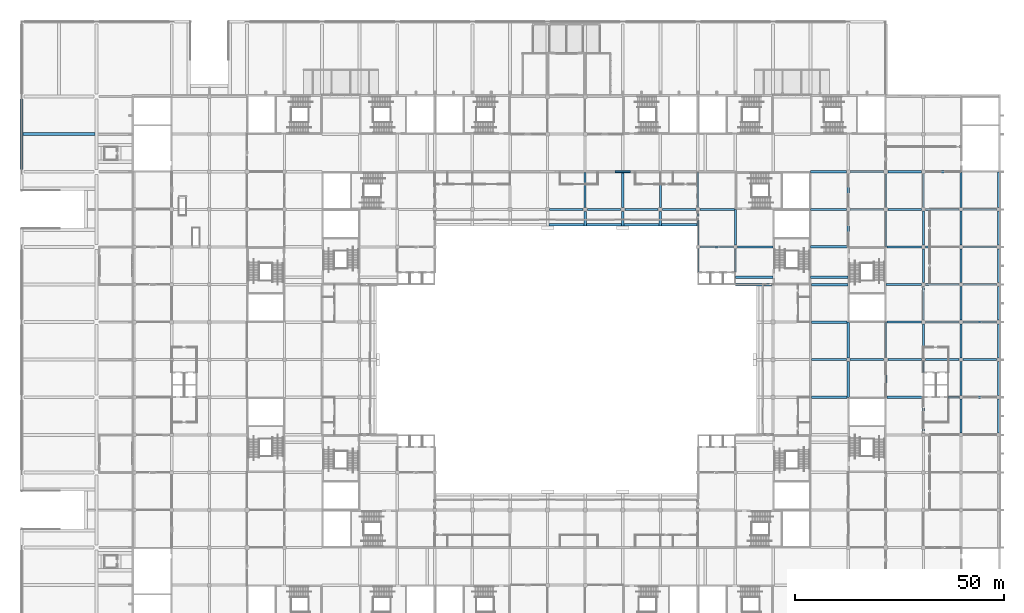
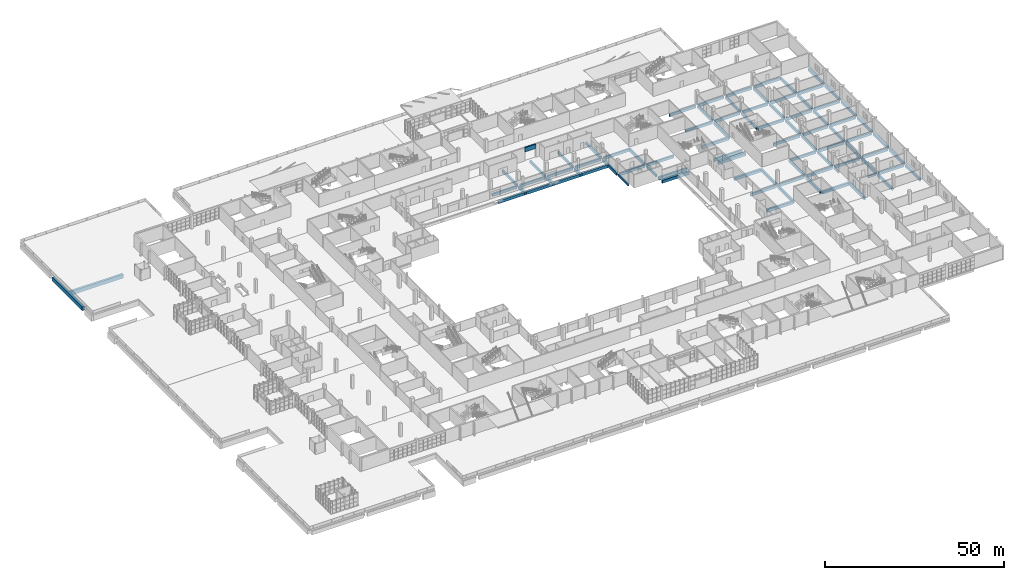
# One storey, part 51 of 168: 87 beams.
"""IFC4 building model written with IfcOpenShell, lengths in metres."""

import ifcopenshell
import ifcopenshell.guid

model = None  # the IFC model being written
_history = None  # IfcOwnerHistory: only IFC2X3 demands one
_inside = {}  # id of a spatial element -> (the spatial element, [elements in it])
_under = {}  # id of a project, library or spatial element -> (it, [spatial elements below it])
_declared = {}  # id of a project -> (the project, [libraries it declares])
_typed = {}  # id of a type object -> (the type object, [elements of that type])
_made_of = {}  # id of a material, layer set ... -> (it, [elements and type objects made of it])


def new_model(schema):
    """Start an empty IFC model of exactly this schema.

    Asked for "IFC4X3", IfcOpenShell would pick the latest addendum, in which some entities
    have other attributes; the version numbers below select the first issue.
    IFC2X3 requires an IfcOwnerHistory on every rooted entity: one is made here for all.
    """
    global model, _history
    if schema == "IFC4X3":
        model = ifcopenshell.file(schema_version=(4, 3, 0, 0))
    else:
        model = ifcopenshell.file(schema=schema)
    _inside.clear()
    _under.clear()
    _declared.clear()
    _typed.clear()
    _made_of.clear()
    _history = None
    if model.schema == "IFC2X3":
        org = make("IfcOrganization", Name="unknown")
        user = make(
            "IfcPersonAndOrganization",
            ThePerson=make("IfcPerson", FamilyName="unknown"),
            TheOrganization=org,
        )
        app = make(
            "IfcApplication",
            ApplicationDeveloper=org,
            Version="unknown",
            ApplicationFullName="unknown",
            ApplicationIdentifier="unknown",
        )
        _history = make(
            "IfcOwnerHistory",
            OwningUser=user,
            OwningApplication=app,
            ChangeAction="ADDED",
            CreationDate=0,
        )
    return model


def make(cls, **values):
    """One entity of the class cls with the attributes given. An attribute that is None is left unset."""
    return model.create_entity(
        cls, **{name: value for name, value in values.items() if value is not None}
    )


def rooted(cls, **values):
    """An entity with a GlobalId (a new one), such as an element, a storey or a relation."""
    return make(cls, GlobalId=ifcopenshell.guid.new(), OwnerHistory=_history, **values)


def si_unit(unit_type, name, prefix=None):
    """IfcSIUnit, for example si_unit("LENGTHUNIT", "METRE", prefix="MILLI")."""
    return make("IfcSIUnit", UnitType=unit_type, Prefix=prefix, Name=name)


def assignment(units):
    """IfcUnitAssignment: the units of a project."""
    return None if units is None else make("IfcUnitAssignment", Units=units)


def point(xyz):
    """IfcCartesianPoint."""
    return None if xyz is None else make("IfcCartesianPoint", Coordinates=xyz)


def direction(xyz):
    """IfcDirection."""
    return None if xyz is None else make("IfcDirection", DirectionRatios=xyz)


def frame(location, z_axis=None, x_axis=None):
    """IfcAxis2Placement3D, a coordinate frame: its origin and axes. An axis left out is left unset."""
    return make(
        "IfcAxis2Placement3D",
        Location=point(location),
        Axis=direction(z_axis),
        RefDirection=direction(x_axis),
    )


def frame_2d(location, x_axis=None):
    """IfcAxis2Placement2D, a coordinate frame in the plane: its origin and x axis."""
    return make(
        "IfcAxis2Placement2D", Location=point(location), RefDirection=direction(x_axis)
    )


def origin():
    """The frame at (0, 0, 0) with its axes left unset."""
    return frame((0.0, 0.0, 0.0))


def origin_2d():
    """The frame at (0, 0) in the plane with its x axis left unset."""
    return frame_2d((0.0, 0.0))


def place(relative_to, where):
    """IfcLocalPlacement: puts the frame where relative to a parent placement (None: the world)."""
    return make(
        "IfcLocalPlacement", PlacementRelTo=relative_to, RelativePlacement=where
    )


def context(
    kind, dimensions, precision=None, world=None, true_north=None, identifier=None
):
    """IfcGeometricRepresentationContext, for example the 3D "Model" context."""
    return make(
        "IfcGeometricRepresentationContext",
        ContextIdentifier=identifier,
        ContextType=kind,
        CoordinateSpaceDimension=dimensions,
        Precision=precision,
        WorldCoordinateSystem=world,
        TrueNorth=true_north,
    )


def subcontext(parent, identifier, kind, view, scale=None):
    """IfcGeometricRepresentationSubContext, for example "Body" below "Model"."""
    return make(
        "IfcGeometricRepresentationSubContext",
        ContextIdentifier=identifier,
        ContextType=kind,
        ParentContext=parent,
        TargetScale=scale,
        TargetView=view,
    )


def project(units=None, contexts=None):
    """IfcProject with its units and contexts."""
    return rooted(
        "IfcProject",
        Name="project",
        RepresentationContexts=contexts,
        UnitsInContext=assignment(units),
    )


def spatial(cls, under=None, at=None, **own):
    """A site, building, storey or space (cls), placed at a placement, below another one or the project."""
    s = rooted(cls, ObjectPlacement=at, **own)
    if under is not None:
        _under.setdefault(under.id(), (under, []))[1].append(s)
    return s


def profile(cls, at=None, kind="AREA", **sizes):
    """A parametric profile (cls). Its sizes go by their IFC names, for example OverallWidth=200.0."""
    return make(cls, ProfileType=kind, Position=at, **sizes)


def rectangle(**sizes):
    """IfcRectangleProfileDef."""
    return profile("IfcRectangleProfileDef", **sizes)


def extrude(swept, where, along, depth):
    """IfcExtrudedAreaSolid: the profile swept, set in the frame where, extruded along a direction by depth."""
    return make(
        "IfcExtrudedAreaSolid",
        SweptArea=swept,
        Position=where,
        ExtrudedDirection=direction(along),
        Depth=depth,
    )


def shape(context_of_items, identifier, shape_type, items):
    """IfcShapeRepresentation: the items that make up one representation, for example the "Body"."""
    return make(
        "IfcShapeRepresentation",
        ContextOfItems=context_of_items,
        RepresentationIdentifier=identifier,
        RepresentationType=shape_type,
        Items=items,
    )


def material(Name=None, Category=None):
    """IfcMaterial."""
    return make("IfcMaterial", Name=Name, Category=Category)


def material_profile(
    of_material, cross_section, Name=None, Category=None, Priority=None
):
    """IfcMaterialProfile: a cross section and its material."""
    return make(
        "IfcMaterialProfile",
        Name=Name,
        Material=of_material,
        Profile=cross_section,
        Priority=Priority,
        Category=Category,
    )


def profile_set(profiles, Name=None, composite=None):
    """IfcMaterialProfileSet."""
    return make(
        "IfcMaterialProfileSet",
        Name=Name,
        MaterialProfiles=profiles,
        CompositeProfile=composite,
    )


def made_of(thing, what):
    """Note that an element or type object is made of a material, layer set ...; save() writes the relation."""
    if what is not None:
        _made_of.setdefault(what.id(), (what, []))[1].append(thing)
    return thing


def type_object(cls, material=None, **own):
    """A type object (cls), such as IfcWallType, which elements share."""
    return made_of(rooted(cls, **own), material)


def element(
    cls,
    number,
    at=None,
    inside=None,
    cuts=None,
    type_object=None,
    material=None,
    context=None,
    identifier="Body",
    shape_type=None,
    held_by="IfcProductDefinitionShape",
    body=None,
    shapes=None,
    **own,
):
    """One element of the class cls, such as IfcWall. Its Tag is "e" and its number.

    at: its placement. inside: the storey or other place that contains it. cuts: it is an
    opening in that element (IfcRelVoidsElement). A single representation is given by context,
    identifier, shape_type and body (its items); several are given by shapes. held_by: the class
    of the entity that holds the representations. save() writes the other relations.
    """
    e = rooted(cls, Tag="e%d" % number, ObjectPlacement=at, **own)
    if body is not None:
        shapes = [shape(context, identifier, shape_type, body)]
    if shapes is not None:
        e.Representation = make(held_by, Representations=shapes)
    if inside is not None:
        _inside.setdefault(inside.id(), (inside, []))[1].append(e)
    if cuts is not None:
        rooted(
            "IfcRelVoidsElement", RelatingBuildingElement=cuts, RelatedOpeningElement=e
        )
    if type_object is not None:
        _typed.setdefault(type_object.id(), (type_object, []))[1].append(e)
    return made_of(e, material)


def aggregate(whole, parts):
    """IfcRelAggregates: a whole, such as a stair, and the parts it consists of."""
    return rooted("IfcRelAggregates", RelatingObject=whole, RelatedObjects=parts)


def save(model, path):
    """Write the relations noted so far, then the file.

    IfcRelAggregates (storeys below a building ...), IfcRelContainedInSpatialStructure (elements
    in a storey), IfcRelDefinesByType, IfcRelAssociatesMaterial and IfcRelDeclares: one each for
    every whole, place, type object, material and project.
    """
    for whole, parts in _under.values():
        aggregate(whole, parts)
    for where, things in _inside.values():
        rooted(
            "IfcRelContainedInSpatialStructure",
            RelatedElements=things,
            RelatingStructure=where,
        )
    for kind, things in _typed.values():
        rooted("IfcRelDefinesByType", RelatedObjects=things, RelatingType=kind)
    for what, things in _made_of.values():
        rooted("IfcRelAssociatesMaterial", RelatedObjects=things, RelatingMaterial=what)
    for by, libraries in _declared.values():
        rooted("IfcRelDeclares", RelatingContext=by, RelatedDefinitions=libraries)
    model.write(path)


model = new_model("IFC4")

# Units and contexts
model_context = context("Model", 3, precision=1e-05, world=origin(), true_north=direction((0.0, 1.0)))
body_context = subcontext(model_context, "Body", "Model", "MODEL_VIEW")
ifc_project = project(units=[si_unit("LENGTHUNIT", "METRE"), si_unit("AREAUNIT", "SQUARE_METRE"), si_unit("VOLUMEUNIT", "CUBIC_METRE"), si_unit("PLANEANGLEUNIT", "RADIAN"), si_unit("MASSUNIT", "GRAM", prefix="KILO")], contexts=[model_context])

# Site, building, storey
site_placement = place(None, origin())
site = spatial("IfcSite", under=ifc_project, at=site_placement, CompositionType="ELEMENT")
building_placement = place(site_placement, origin())
building = spatial("IfcBuilding", under=site, at=building_placement, Name="Silverbay Arena", CompositionType="ELEMENT")
storey_placement = place(building_placement, frame((0.0, 0.0, 7.0)))
storey = spatial("IfcBuildingStorey", under=building, at=storey_placement, Name="L01", CompositionType="ELEMENT", Elevation=7.0)

# Beams
ifc_material_1 = material(Name="Concrete Grade C45", Category="concrete")
ifc_material_profile_1 = material_profile(ifc_material_1, rectangle(XDim=0.39990234375, YDim=0.699951171875, at=origin_2d()), Name="RC 400x700")
ifc_profile_set_1 = profile_set([ifc_material_profile_1], Name="Concrete Grade C45")
beam_type_1 = type_object("IfcBeamType", Name="RC beam 400x700", PredefinedType="BEAM", material=ifc_profile_set_1)
beam_1_placement = place(storey_placement, frame((222.0, 72.0, -0.699951171875), z_axis=(1.0, 0.0, 0.0), x_axis=(0.0, 1.0, 0.0)))
element("IfcBeam", 1, at=beam_1_placement, inside=storey, type_object=beam_type_1, Name="Floor beam L01 082", PredefinedType="BEAM", context=body_context, shape_type="SweptSolid", body=[
    extrude(rectangle(XDim=0.39990234375, YDim=0.699951171875, at=origin_2d()), origin(), (0.0, 0.0, 1.0), 2.550048828125),
])
for number, where, z_axis, x_axis, name in (
    (2, (162.0, 102.0, -0.699951171875), (0.0, 1.0, 0.0), (-1.0, 0.0, 0.0), "Floor beam L01 297"),
    (3, (171.0, 102.0, -0.699951171875), (0.0, 1.0, 0.0), (-1.0, 0.0, 0.0), "Floor beam L01 306"),
):
    element("IfcBeam", number, at=place(storey_placement, frame(where, z_axis=z_axis, x_axis=x_axis)), inside=storey, type_object=beam_type_1, Name=name, PredefinedType="BEAM", context=body_context, shape_type="SweptSolid", body=[
        extrude(rectangle(XDim=0.39990234375, YDim=0.699951171875, at=origin_2d()), origin(), (0.0, 0.0, 1.0), 5.550048828125),
    ])
beam_2_placement = place(storey_placement, frame((216.0, 78.0, -0.699951171875), z_axis=(0.0, 1.0, 0.0), x_axis=(-1.0, 0.0, 0.0)))
element("IfcBeam", 4, at=beam_2_placement, inside=storey, type_object=beam_type_1, Name="Floor beam L01 337", PredefinedType="BEAM", context=body_context, shape_type="SweptSolid", body=[
    extrude(rectangle(XDim=0.39990234375, YDim=0.699951171875, at=origin_2d()), origin(), (0.0, 0.0, 1.0), 2.550048828125),
])
ifc_material_2 = material(Name="Concrete Grade C45", Category="concrete")
ifc_material_profile_2 = material_profile(ifc_material_2, rectangle(XDim=0.5, YDim=1.0, at=origin_2d()), Name="RC 500x1000")
ifc_profile_set_2 = profile_set([ifc_material_profile_2], Name="Concrete Grade C45")
beam_type_2 = type_object("IfcBeamType", Name="RC beam 500x1000", PredefinedType="BEAM", material=ifc_profile_set_2)
beam_3_placement = place(storey_placement, frame((162.0, 108.449951171875, -0.85009765625), z_axis=(0.0, 1.0, 0.0), x_axis=(-1.0, 0.0, 0.0)))
element("IfcBeam", 5, at=beam_3_placement, inside=storey, type_object=beam_type_2, Name="Floor beam L01 298", PredefinedType="BEAM", context=body_context, shape_type="SweptSolid", body=[
    extrude(rectangle(XDim=0.5, YDim=1.0, at=origin_2d()), origin(), (0.0, 0.0, 1.0), 8.10009765625),
])
for number, where, z_axis, x_axis, name in (
    (6, (198.0, 72.0, -0.85009765625), (0.0, 1.0, 0.0), (-1.0, 0.0, 0.0), "Floor beam L01 318"),
    (7, (198.0, 81.449951171875, -0.85009765625), (0.0, 1.0, 0.0), (-1.0, 0.0, 0.0), "Floor beam L01 319"),
    (8, (198.0, 108.0, -0.85009765625), (0.0, 1.0, 0.0), (-1.0, 0.0, 0.0), "Floor beam L01 320"),
):
    element("IfcBeam", number, at=place(storey_placement, frame(where, z_axis=z_axis, x_axis=x_axis)), inside=storey, type_object=beam_type_2, Name=name, PredefinedType="BEAM", context=body_context, shape_type="SweptSolid", body=[
        extrude(rectangle(XDim=0.5, YDim=1.0, at=origin_2d()), origin(), (0.0, 0.0, 1.0), 8.550048828125),
    ])
beam_4_placement = place(storey_placement, frame((207.0, 72.0, -0.85009765625), z_axis=(0.0, 1.0, 0.0), x_axis=(-1.0, 0.0, 0.0)))
element("IfcBeam", 9, at=beam_4_placement, inside=storey, type_object=beam_type_2, Name="Floor beam L01 326", PredefinedType="BEAM", context=body_context, shape_type="SweptSolid", body=[
    extrude(rectangle(XDim=0.5, YDim=1.0, at=origin_2d()), origin(), (0.0, 0.0, 1.0), 8.5),
])
beam_5_placement = place(storey_placement, frame((216.0, 63.449951171875, -0.85009765625), z_axis=(0.0, 1.0, 0.0), x_axis=(-1.0, 0.0, 0.0)))
element("IfcBeam", 10, at=beam_5_placement, inside=storey, type_object=beam_type_2, Name="Floor beam L01 336", PredefinedType="BEAM", context=body_context, shape_type="SweptSolid", body=[
    extrude(rectangle(XDim=0.5, YDim=1.0, at=origin_2d()), origin(), (0.0, 0.0, 1.0), 8.550048828125),
])
ifc_material_3 = material(Name="Concrete Grade C45", Category="concrete")
ifc_material_profile_3 = material_profile(ifc_material_3, rectangle(XDim=0.5, YDim=0.89990234375, at=origin_2d()), Name="RC 500x900")
ifc_profile_set_3 = profile_set([ifc_material_profile_3], Name="Concrete Grade C45")
beam_type_3 = type_object("IfcBeamType", Name="RC beam 500x900", PredefinedType="BEAM", material=ifc_profile_set_3)
beam_6_placement = place(storey_placement, frame((225.449951171875, 72.0, -0.800048828125), z_axis=(1.0, 0.0, 0.0), x_axis=(0.0, 1.0, 0.0)))
element("IfcBeam", 11, at=beam_6_placement, inside=storey, type_object=beam_type_3, Name="Floor beam L01 083", PredefinedType="BEAM", context=body_context, shape_type="SweptSolid", body=[
    extrude(rectangle(XDim=0.5, YDim=0.89990234375, at=origin_2d()), origin(), (0.0, 0.0, 1.0), 8.10009765625),
])
beam_7_placement = place(storey_placement, frame((189.199951171875, 81.0, -0.800048828125), z_axis=(1.0, 0.0, 0.0), x_axis=(0.0, 1.0, 0.0)))
element("IfcBeam", 12, at=beam_7_placement, inside=storey, type_object=beam_type_3, Name="Floor beam L01 093", PredefinedType="BEAM", context=body_context, shape_type="SweptSolid", body=[
    extrude(rectangle(XDim=0.5, YDim=0.89990234375, at=origin_2d()), origin(), (0.0, 0.0, 1.0), 8.35009765625),
])
for number, where, z_axis, x_axis, name in (
    (13, (198.449951171875, 81.0, -0.800048828125), (1.0, 0.0, 0.0), (0.0, 1.0, 0.0), "Floor beam L01 094"),
    (14, (207.5, 81.0, -0.800048828125), (1.0, 0.0, 0.0), (0.0, 1.0, 0.0), "Floor beam L01 095"),
):
    element("IfcBeam", number, at=place(storey_placement, frame(where, z_axis=z_axis, x_axis=x_axis)), inside=storey, type_object=beam_type_3, Name=name, PredefinedType="BEAM", context=body_context, shape_type="SweptSolid", body=[
        extrude(rectangle(XDim=0.5, YDim=0.89990234375, at=origin_2d()), origin(), (0.0, 0.0, 1.0), 8.050048828125),
    ])
for number, where, z_axis, x_axis, name in (
    (15, (216.449951171875, 81.0, -0.800048828125), (1.0, 0.0, 0.0), (0.0, 1.0, 0.0), "Floor beam L01 096"),
    (16, (225.449951171875, 81.0, -0.800048828125), (1.0, 0.0, 0.0), (0.0, 1.0, 0.0), "Floor beam L01 097"),
):
    element("IfcBeam", number, at=place(storey_placement, frame(where, z_axis=z_axis, x_axis=x_axis)), inside=storey, type_object=beam_type_3, Name=name, PredefinedType="BEAM", context=body_context, shape_type="SweptSolid", body=[
        extrude(rectangle(XDim=0.5, YDim=0.89990234375, at=origin_2d()), origin(), (0.0, 0.0, 1.0), 8.10009765625),
    ])
beam_8_placement = place(storey_placement, frame((207.25, 90.0, -0.800048828125), z_axis=(1.0, 0.0, 0.0), x_axis=(0.0, 1.0, 0.0)))
element("IfcBeam", 17, at=beam_8_placement, inside=storey, type_object=beam_type_3, Name="Floor beam L01 107", PredefinedType="BEAM", context=body_context, shape_type="SweptSolid", body=[
    extrude(rectangle(XDim=0.5, YDim=0.89990234375, at=origin_2d()), origin(), (0.0, 0.0, 1.0), 8.300048828125),
])
for number, where, z_axis, x_axis, name in (
    (18, (216.449951171875, 90.0, -0.800048828125), (1.0, 0.0, 0.0), (0.0, 1.0, 0.0), "Floor beam L01 108"),
    (19, (225.449951171875, 90.0, -0.800048828125), (1.0, 0.0, 0.0), (0.0, 1.0, 0.0), "Floor beam L01 109"),
):
    element("IfcBeam", number, at=place(storey_placement, frame(where, z_axis=z_axis, x_axis=x_axis)), inside=storey, type_object=beam_type_3, Name=name, PredefinedType="BEAM", context=body_context, shape_type="SweptSolid", body=[
        extrude(rectangle(XDim=0.5, YDim=0.89990234375, at=origin_2d()), origin(), (0.0, 0.0, 1.0), 8.10009765625),
    ])
beam_9_placement = place(storey_placement, frame((207.0, 99.0, -0.800048828125), z_axis=(1.0, 0.0, 0.0), x_axis=(0.0, 1.0, 0.0)))
element("IfcBeam", 20, at=beam_9_placement, inside=storey, type_object=beam_type_3, Name="Floor beam L01 117", PredefinedType="BEAM", context=body_context, shape_type="SweptSolid", body=[
    extrude(rectangle(XDim=0.5, YDim=0.89990234375, at=origin_2d()), origin(), (0.0, 0.0, 1.0), 8.550048828125),
])
for number, where, z_axis, x_axis, name in (
    (21, (216.449951171875, 99.0, -0.800048828125), (1.0, 0.0, 0.0), (0.0, 1.0, 0.0), "Floor beam L01 118"),
    (22, (225.449951171875, 99.0, -0.800048828125), (1.0, 0.0, 0.0), (0.0, 1.0, 0.0), "Floor beam L01 119"),
    (23, (162.449951171875, 108.0, -0.800048828125), (1.0, 0.0, 0.0), (0.0, 1.0, 0.0), "Floor beam L01 130"),
):
    element("IfcBeam", number, at=place(storey_placement, frame(where, z_axis=z_axis, x_axis=x_axis)), inside=storey, type_object=beam_type_3, Name=name, PredefinedType="BEAM", context=body_context, shape_type="SweptSolid", body=[
        extrude(rectangle(XDim=0.5, YDim=0.89990234375, at=origin_2d()), origin(), (0.0, 0.0, 1.0), 8.10009765625),
    ])
beam_10_placement = place(storey_placement, frame((171.449951171875, 108.0, -0.800048828125), z_axis=(1.0, 0.0, 0.0), x_axis=(0.0, 1.0, 0.0)))
element("IfcBeam", 24, at=beam_10_placement, inside=storey, type_object=beam_type_3, Name="Floor beam L01 131", PredefinedType="BEAM", context=body_context, shape_type="SweptSolid", body=[
    extrude(rectangle(XDim=0.5, YDim=0.89990234375, at=origin_2d()), origin(), (0.0, 0.0, 1.0), 8.550048828125),
])
beam_11_placement = place(storey_placement, frame((207.25, 108.0, -0.800048828125), z_axis=(1.0, 0.0, 0.0), x_axis=(0.0, 1.0, 0.0)))
element("IfcBeam", 25, at=beam_11_placement, inside=storey, type_object=beam_type_3, Name="Floor beam L01 133", PredefinedType="BEAM", context=body_context, shape_type="SweptSolid", body=[
    extrude(rectangle(XDim=0.5, YDim=0.89990234375, at=origin_2d()), origin(), (0.0, 0.0, 1.0), 8.300048828125),
])
for number, where, z_axis, x_axis, name in (
    (26, (216.449951171875, 108.0, -0.800048828125), (1.0, 0.0, 0.0), (0.0, 1.0, 0.0), "Floor beam L01 134"),
    (27, (225.449951171875, 108.0, -0.800048828125), (1.0, 0.0, 0.0), (0.0, 1.0, 0.0), "Floor beam L01 135"),
):
    element("IfcBeam", number, at=place(storey_placement, frame(where, z_axis=z_axis, x_axis=x_axis)), inside=storey, type_object=beam_type_3, Name=name, PredefinedType="BEAM", context=body_context, shape_type="SweptSolid", body=[
        extrude(rectangle(XDim=0.5, YDim=0.89990234375, at=origin_2d()), origin(), (0.0, 0.0, 1.0), 8.10009765625),
    ])
for number, where, z_axis, x_axis, name in (
    (28, (126.5, 117.0, -0.800048828125), (1.0, 0.0, 0.0), (0.0, 1.0, 0.0), "Floor beam L01 145"),
    (29, (135.5, 117.0, -0.800048828125), (1.0, 0.0, 0.0), (0.0, 1.0, 0.0), "Floor beam L01 146"),
    (30, (144.5, 117.0, -0.800048828125), (1.0, 0.0, 0.0), (0.0, 1.0, 0.0), "Floor beam L01 147"),
):
    element("IfcBeam", number, at=place(storey_placement, frame(where, z_axis=z_axis, x_axis=x_axis)), inside=storey, type_object=beam_type_3, Name=name, PredefinedType="BEAM", context=body_context, shape_type="SweptSolid", body=[
        extrude(rectangle(XDim=0.5, YDim=0.89990234375, at=origin_2d()), origin(), (0.0, 0.0, 1.0), 8.0),
    ])
beam_12_placement = place(storey_placement, frame((153.5, 117.0, -0.800048828125), z_axis=(1.0, 0.0, 0.0), x_axis=(0.0, 1.0, 0.0)))
element("IfcBeam", 31, at=beam_12_placement, inside=storey, type_object=beam_type_3, Name="Floor beam L01 148", PredefinedType="BEAM", context=body_context, shape_type="SweptSolid", body=[
    extrude(rectangle(XDim=0.5, YDim=0.89990234375, at=origin_2d()), origin(), (0.0, 0.0, 1.0), 8.050048828125),
])
beam_13_placement = place(storey_placement, frame((162.449951171875, 117.0, -0.800048828125), z_axis=(1.0, 0.0, 0.0), x_axis=(0.0, 1.0, 0.0)))
element("IfcBeam", 32, at=beam_13_placement, inside=storey, type_object=beam_type_3, Name="Floor beam L01 149", PredefinedType="BEAM", context=body_context, shape_type="SweptSolid", body=[
    extrude(rectangle(XDim=0.5, YDim=0.89990234375, at=origin_2d()), origin(), (0.0, 0.0, 1.0), 8.300048828125),
])
beam_14_placement = place(storey_placement, frame((189.0, 117.0, -0.800048828125), z_axis=(1.0, 0.0, 0.0), x_axis=(0.0, 1.0, 0.0)))
element("IfcBeam", 33, at=beam_14_placement, inside=storey, type_object=beam_type_3, Name="Floor beam L01 150", PredefinedType="BEAM", context=body_context, shape_type="SweptSolid", body=[
    extrude(rectangle(XDim=0.5, YDim=0.89990234375, at=origin_2d()), origin(), (0.0, 0.0, 1.0), 8.550048828125),
])
for number, where, z_axis, x_axis, name in (
    (34, (198.449951171875, 117.0, -0.800048828125), (1.0, 0.0, 0.0), (0.0, 1.0, 0.0), "Floor beam L01 151"),
    (35, (207.5, 117.0, -0.800048828125), (1.0, 0.0, 0.0), (0.0, 1.0, 0.0), "Floor beam L01 152"),
):
    element("IfcBeam", number, at=place(storey_placement, frame(where, z_axis=z_axis, x_axis=x_axis)), inside=storey, type_object=beam_type_3, Name=name, PredefinedType="BEAM", context=body_context, shape_type="SweptSolid", body=[
        extrude(rectangle(XDim=0.5, YDim=0.89990234375, at=origin_2d()), origin(), (0.0, 0.0, 1.0), 8.050048828125),
    ])
for number, where, z_axis, x_axis, name in (
    (36, (216.449951171875, 117.0, -0.800048828125), (1.0, 0.0, 0.0), (0.0, 1.0, 0.0), "Floor beam L01 153"),
    (37, (225.449951171875, 117.0, -0.800048828125), (1.0, 0.0, 0.0), (0.0, 1.0, 0.0), "Floor beam L01 154"),
):
    element("IfcBeam", number, at=place(storey_placement, frame(where, z_axis=z_axis, x_axis=x_axis)), inside=storey, type_object=beam_type_3, Name=name, PredefinedType="BEAM", context=body_context, shape_type="SweptSolid", body=[
        extrude(rectangle(XDim=0.5, YDim=0.89990234375, at=origin_2d()), origin(), (0.0, 0.0, 1.0), 8.10009765625),
    ])
beam_15_placement = place(storey_placement, frame((189.0, 126.0, -0.800048828125), z_axis=(1.0, 0.0, 0.0), x_axis=(0.0, 1.0, 0.0)))
element("IfcBeam", 38, at=beam_15_placement, inside=storey, type_object=beam_type_3, Name="Floor beam L01 159", PredefinedType="BEAM", context=body_context, shape_type="SweptSolid", body=[
    extrude(rectangle(XDim=0.5, YDim=0.89990234375, at=origin_2d()), origin(), (0.0, 0.0, 1.0), 8.550048828125),
])
for number, where, z_axis, x_axis, name in (
    (39, (198.449951171875, 126.0, -0.800048828125), (1.0, 0.0, 0.0), (0.0, 1.0, 0.0), "Floor beam L01 160"),
    (40, (207.5, 126.0, -0.800048828125), (1.0, 0.0, 0.0), (0.0, 1.0, 0.0), "Floor beam L01 161"),
):
    element("IfcBeam", number, at=place(storey_placement, frame(where, z_axis=z_axis, x_axis=x_axis)), inside=storey, type_object=beam_type_3, Name=name, PredefinedType="BEAM", context=body_context, shape_type="SweptSolid", body=[
        extrude(rectangle(XDim=0.5, YDim=0.89990234375, at=origin_2d()), origin(), (0.0, 0.0, 1.0), 8.050048828125),
    ])
for number, where, z_axis, x_axis, name in (
    (41, (216.449951171875, 126.0, -0.800048828125), (1.0, 0.0, 0.0), (0.0, 1.0, 0.0), "Floor beam L01 162"),
    (42, (135.0, 117.5, -0.800048828125), (0.0, 1.0, 0.0), (-1.0, 0.0, 0.0), "Floor beam L01 278"),
    (43, (144.0, 117.5, -0.800048828125), (0.0, 1.0, 0.0), (-1.0, 0.0, 0.0), "Floor beam L01 285"),
    (44, (153.0, 117.5, -0.800048828125), (0.0, 1.0, 0.0), (-1.0, 0.0, 0.0), "Floor beam L01 291"),
):
    element("IfcBeam", number, at=place(storey_placement, frame(where, z_axis=z_axis, x_axis=x_axis)), inside=storey, type_object=beam_type_3, Name=name, PredefinedType="BEAM", context=body_context, shape_type="SweptSolid", body=[
        extrude(rectangle(XDim=0.5, YDim=0.89990234375, at=origin_2d()), origin(), (0.0, 0.0, 1.0), 8.300048828125),
    ])
beam_16_placement = place(storey_placement, frame((162.0, 117.449951171875, -0.800048828125), z_axis=(0.0, 1.0, 0.0), x_axis=(-1.0, 0.0, 0.0)))
element("IfcBeam", 45, at=beam_16_placement, inside=storey, type_object=beam_type_3, Name="Floor beam L01 299", PredefinedType="BEAM", context=body_context, shape_type="SweptSolid", body=[
    extrude(rectangle(XDim=0.5, YDim=0.89990234375, at=origin_2d()), origin(), (0.0, 0.0, 1.0), 8.35009765625),
])
beam_17_placement = place(storey_placement, frame((171.0, 108.449951171875, -0.800048828125), z_axis=(0.0, 1.0, 0.0), x_axis=(-1.0, 0.0, 0.0)))
element("IfcBeam", 46, at=beam_17_placement, inside=storey, type_object=beam_type_3, Name="Floor beam L01 307", PredefinedType="BEAM", context=body_context, shape_type="SweptSolid", body=[
    extrude(rectangle(XDim=0.5, YDim=0.89990234375, at=origin_2d()), origin(), (0.0, 0.0, 1.0), 8.550048828125),
])
beam_18_placement = place(storey_placement, frame((198.0, 117.449951171875, -0.800048828125), z_axis=(0.0, 1.0, 0.0), x_axis=(-1.0, 0.0, 0.0)))
element("IfcBeam", 47, at=beam_18_placement, inside=storey, type_object=beam_type_3, Name="Floor beam L01 321", PredefinedType="BEAM", context=body_context, shape_type="SweptSolid", body=[
    extrude(rectangle(XDim=0.5, YDim=0.89990234375, at=origin_2d()), origin(), (0.0, 0.0, 1.0), 8.10009765625),
])
for number, where, z_axis, x_axis, name in (
    (48, (207.0, 81.5, -0.800048828125), (0.0, 1.0, 0.0), (-1.0, 0.0, 0.0), "Floor beam L01 327"),
    (49, (207.0, 108.0, -0.800048828125), (0.0, 1.0, 0.0), (-1.0, 0.0, 0.0), "Floor beam L01 328"),
):
    element("IfcBeam", number, at=place(storey_placement, frame(where, z_axis=z_axis, x_axis=x_axis)), inside=storey, type_object=beam_type_3, Name=name, PredefinedType="BEAM", context=body_context, shape_type="SweptSolid", body=[
        extrude(rectangle(XDim=0.5, YDim=0.89990234375, at=origin_2d()), origin(), (0.0, 0.0, 1.0), 8.5),
    ])
beam_19_placement = place(storey_placement, frame((207.0, 117.5, -0.800048828125), z_axis=(0.0, 1.0, 0.0), x_axis=(-1.0, 0.0, 0.0)))
element("IfcBeam", 50, at=beam_19_placement, inside=storey, type_object=beam_type_3, Name="Floor beam L01 329", PredefinedType="BEAM", context=body_context, shape_type="SweptSolid", body=[
    extrude(rectangle(XDim=0.5, YDim=0.89990234375, at=origin_2d()), origin(), (0.0, 0.0, 1.0), 8.0),
])
for number, where, z_axis, x_axis, name in (
    (51, (216.0, 81.449951171875, -0.800048828125), (0.0, 1.0, 0.0), (-1.0, 0.0, 0.0), "Floor beam L01 338"),
    (52, (216.0, 90.449951171875, -0.800048828125), (0.0, 1.0, 0.0), (-1.0, 0.0, 0.0), "Floor beam L01 339"),
    (53, (216.0, 99.449951171875, -0.800048828125), (0.0, 1.0, 0.0), (-1.0, 0.0, 0.0), "Floor beam L01 340"),
    (54, (216.0, 108.449951171875, -0.800048828125), (0.0, 1.0, 0.0), (-1.0, 0.0, 0.0), "Floor beam L01 341"),
    (55, (216.0, 117.449951171875, -0.800048828125), (0.0, 1.0, 0.0), (-1.0, 0.0, 0.0), "Floor beam L01 342"),
    (56, (225.0, 63.449951171875, -0.800048828125), (0.0, 1.0, 0.0), (-1.0, 0.0, 0.0), "Floor beam L01 348"),
    (57, (225.0, 72.449951171875, -0.800048828125), (0.0, 1.0, 0.0), (-1.0, 0.0, 0.0), "Floor beam L01 349"),
    (58, (225.0, 81.449951171875, -0.800048828125), (0.0, 1.0, 0.0), (-1.0, 0.0, 0.0), "Floor beam L01 350"),
    (59, (225.0, 90.449951171875, -0.800048828125), (0.0, 1.0, 0.0), (-1.0, 0.0, 0.0), "Floor beam L01 351"),
    (60, (225.0, 99.449951171875, -0.800048828125), (0.0, 1.0, 0.0), (-1.0, 0.0, 0.0), "Floor beam L01 352"),
    (61, (225.0, 108.449951171875, -0.800048828125), (0.0, 1.0, 0.0), (-1.0, 0.0, 0.0), "Floor beam L01 353"),
):
    element("IfcBeam", number, at=place(storey_placement, frame(where, z_axis=z_axis, x_axis=x_axis)), inside=storey, type_object=beam_type_3, Name=name, PredefinedType="BEAM", context=body_context, shape_type="SweptSolid", body=[
        extrude(rectangle(XDim=0.5, YDim=0.89990234375, at=origin_2d()), origin(), (0.0, 0.0, 1.0), 8.10009765625),
    ])
beam_20_placement = place(storey_placement, frame((225.0, 117.449951171875, -0.800048828125), z_axis=(0.0, 1.0, 0.0), x_axis=(-1.0, 0.0, 0.0)))
element("IfcBeam", 62, at=beam_20_placement, inside=storey, type_object=beam_type_3, Name="Floor beam L01 354", PredefinedType="BEAM", context=body_context, shape_type="SweptSolid", body=[
    extrude(rectangle(XDim=0.5, YDim=0.89990234375, at=origin_2d()), origin(), (0.0, 0.0, 1.0), 8.550048828125),
])
for number, where, z_axis, x_axis, name in (
    (63, (234.0, 63.449951171875, -0.800048828125), (0.0, 1.0, 0.0), (-1.0, 0.0, 0.0), "Floor beam L01 358"),
    (64, (234.0, 72.449951171875, -0.800048828125), (0.0, 1.0, 0.0), (-1.0, 0.0, 0.0), "Floor beam L01 359"),
    (65, (234.0, 81.449951171875, -0.800048828125), (0.0, 1.0, 0.0), (-1.0, 0.0, 0.0), "Floor beam L01 360"),
    (66, (234.0, 90.449951171875, -0.800048828125), (0.0, 1.0, 0.0), (-1.0, 0.0, 0.0), "Floor beam L01 361"),
    (67, (234.0, 99.449951171875, -0.800048828125), (0.0, 1.0, 0.0), (-1.0, 0.0, 0.0), "Floor beam L01 362"),
    (68, (234.0, 108.449951171875, -0.800048828125), (0.0, 1.0, 0.0), (-1.0, 0.0, 0.0), "Floor beam L01 363"),
):
    element("IfcBeam", number, at=place(storey_placement, frame(where, z_axis=z_axis, x_axis=x_axis)), inside=storey, type_object=beam_type_3, Name=name, PredefinedType="BEAM", context=body_context, shape_type="SweptSolid", body=[
        extrude(rectangle(XDim=0.5, YDim=0.89990234375, at=origin_2d()), origin(), (0.0, 0.0, 1.0), 8.10009765625),
    ])
beam_21_placement = place(storey_placement, frame((234.0, 117.449951171875, -0.800048828125), z_axis=(0.0, 1.0, 0.0), x_axis=(-1.0, 0.0, 0.0)))
element("IfcBeam", 69, at=beam_21_placement, inside=storey, type_object=beam_type_3, Name="Floor beam L01 364", PredefinedType="BEAM", context=body_context, shape_type="SweptSolid", body=[
    extrude(rectangle(XDim=0.5, YDim=0.89990234375, at=origin_2d()), origin(), (0.0, 0.0, 1.0), 8.550048828125),
])
ifc_material_4 = material(Name="Concrete Grade C45", Category="concrete")
ifc_material_profile_4 = material_profile(ifc_material_4, rectangle(XDim=0.60009765625, YDim=1.0, at=origin_2d()), Name="RC 600x1000")
ifc_profile_set_4 = profile_set([ifc_material_profile_4], Name="Concrete Grade C45")
beam_type_4 = type_object("IfcBeamType", Name="RC beam 600x1000", PredefinedType="BEAM", material=ifc_profile_set_4)
beam_22_placement = place(storey_placement, frame((189.199951171875, 72.0, -0.85009765625), z_axis=(1.0, 0.0, 0.0), x_axis=(0.0, 1.0, 0.0)))
element("IfcBeam", 70, at=beam_22_placement, inside=storey, type_object=beam_type_4, Name="Floor beam L01 080", PredefinedType="BEAM", context=body_context, shape_type="SweptSolid", body=[
    extrude(rectangle(XDim=0.60009765625, YDim=1.0, at=origin_2d()), origin(), (0.0, 0.0, 1.0), 8.550048828125),
])
beam_23_placement = place(storey_placement, frame((207.25, 72.0, -0.85009765625), z_axis=(1.0, 0.0, 0.0), x_axis=(0.0, 1.0, 0.0)))
element("IfcBeam", 71, at=beam_23_placement, inside=storey, type_object=beam_type_4, Name="Floor beam L01 081", PredefinedType="BEAM", context=body_context, shape_type="SweptSolid", body=[
    extrude(rectangle(XDim=0.60009765625, YDim=1.0, at=origin_2d()), origin(), (0.0, 0.0, 1.0), 8.5),
])
beam_24_placement = place(storey_placement, frame((189.199951171875, 90.0, -0.85009765625), z_axis=(1.0, 0.0, 0.0), x_axis=(0.0, 1.0, 0.0)))
element("IfcBeam", 72, at=beam_24_placement, inside=storey, type_object=beam_type_4, Name="Floor beam L01 106", PredefinedType="BEAM", context=body_context, shape_type="SweptSolid", body=[
    extrude(rectangle(XDim=0.60009765625, YDim=1.0, at=origin_2d()), origin(), (0.0, 0.0, 1.0), 8.550048828125),
])
beam_25_placement = place(storey_placement, frame((171.0, 99.0, -0.85009765625), z_axis=(1.0, 0.0, 0.0), x_axis=(0.0, 1.0, 0.0)))
element("IfcBeam", 73, at=beam_25_placement, inside=storey, type_object=beam_type_4, Name="Floor beam L01 115", PredefinedType="BEAM", context=body_context, shape_type="SweptSolid", body=[
    extrude(rectangle(XDim=0.60009765625, YDim=1.0, at=origin_2d()), origin(), (0.0, 0.0, 1.0), 8.75),
])
beam_26_placement = place(storey_placement, frame((189.199951171875, 99.0, -0.85009765625), z_axis=(1.0, 0.0, 0.0), x_axis=(0.0, 1.0, 0.0)))
element("IfcBeam", 74, at=beam_26_placement, inside=storey, type_object=beam_type_4, Name="Floor beam L01 116", PredefinedType="BEAM", context=body_context, shape_type="SweptSolid", body=[
    extrude(rectangle(XDim=0.60009765625, YDim=1.0, at=origin_2d()), origin(), (0.0, 0.0, 1.0), 8.800048828125),
])
for number, where, z_axis, x_axis, name in (
    (75, (171.0, 100.800048828125, -0.85009765625), (1.0, 0.0, 0.0), (0.0, 1.0, 0.0), "Floor beam L01 122"),
    (76, (189.0, 100.800048828125, -0.85009765625), (1.0, 0.0, 0.0), (0.0, 1.0, 0.0), "Floor beam L01 123"),
):
    element("IfcBeam", number, at=place(storey_placement, frame(where, z_axis=z_axis, x_axis=x_axis)), inside=storey, type_object=beam_type_4, Name=name, PredefinedType="BEAM", context=body_context, shape_type="SweptSolid", body=[
        extrude(rectangle(XDim=0.60009765625, YDim=1.0, at=origin_2d()), origin(), (0.0, 0.0, 1.0), 9.0),
    ])
beam_27_placement = place(storey_placement, frame((189.0, 108.0, -0.85009765625), z_axis=(1.0, 0.0, 0.0), x_axis=(0.0, 1.0, 0.0)))
element("IfcBeam", 77, at=beam_27_placement, inside=storey, type_object=beam_type_4, Name="Floor beam L01 132", PredefinedType="BEAM", context=body_context, shape_type="SweptSolid", body=[
    extrude(rectangle(XDim=0.60009765625, YDim=1.0, at=origin_2d()), origin(), (0.0, 0.0, 1.0), 8.75),
])
for number, where, z_axis, x_axis, name in (
    (78, (135.0, 113.0, -0.85009765625), (0.0, 1.0, 0.0), (-1.0, 0.0, 0.0), "Floor beam L01 277"),
    (79, (144.0, 113.0, -0.85009765625), (0.0, 1.0, 0.0), (-1.0, 0.0, 0.0), "Floor beam L01 284"),
    (80, (153.0, 113.0, -0.85009765625), (0.0, 1.0, 0.0), (-1.0, 0.0, 0.0), "Floor beam L01 290"),
):
    element("IfcBeam", number, at=place(storey_placement, frame(where, z_axis=z_axis, x_axis=x_axis)), inside=storey, type_object=beam_type_4, Name=name, PredefinedType="BEAM", context=body_context, shape_type="SweptSolid", body=[
        extrude(rectangle(XDim=0.60009765625, YDim=1.0, at=origin_2d()), origin(), (0.0, 0.0, 1.0), 3.5),
    ])
for number, where, z_axis, x_axis, name in (
    (81, (126.300048828125, 113.300048828125, -0.85009765625), (1.0, 0.0, 0.0), (0.0, 1.0, 0.0), "Floor beam L01 375"),
    (82, (135.300048828125, 113.300048828125, -0.85009765625), (1.0, 0.0, 0.0), (0.0, 1.0, 0.0), "Floor beam L01 376"),
    (83, (144.300048828125, 113.300048828125, -0.85009765625), (1.0, 0.0, 0.0), (0.0, 1.0, 0.0), "Floor beam L01 377"),
):
    element("IfcBeam", number, at=place(storey_placement, frame(where, z_axis=z_axis, x_axis=x_axis)), inside=storey, type_object=beam_type_4, Name=name, PredefinedType="BEAM", context=body_context, shape_type="SweptSolid", body=[
        extrude(rectangle(XDim=0.60009765625, YDim=1.0, at=origin_2d()), origin(), (0.0, 0.0, 1.0), 8.39990234375),
    ])
beam_28_placement = place(storey_placement, frame((153.300048828125, 113.300048828125, -0.85009765625), z_axis=(1.0, 0.0, 0.0), x_axis=(0.0, 1.0, 0.0)))
element("IfcBeam", 84, at=beam_28_placement, inside=storey, type_object=beam_type_4, Name="Floor beam L01 378", PredefinedType="BEAM", context=body_context, shape_type="SweptSolid", body=[
    extrude(rectangle(XDim=0.60009765625, YDim=1.0, at=origin_2d()), origin(), (0.0, 0.0, 1.0), 8.449951171875),
])
ifc_material_5 = material(Name="Concrete Grade C45", Category="concrete")
ifc_material_profile_5 = material_profile(ifc_material_5, rectangle(XDim=0.699951171875, YDim=1.300048828125, at=origin_2d()), Name="RC 700x1300")
ifc_profile_set_5 = profile_set([ifc_material_profile_5], Name="Concrete Grade C45")
beam_type_5 = type_object("IfcBeamType", Name="RC girder 700x1300", PredefinedType="BEAM", material=ifc_profile_set_5)
beam_29_placement = place(storey_placement, frame((0.35009765625, 135.0, -1.10009765625), z_axis=(1.0, 0.0, 0.0), x_axis=(0.0, 1.0, 0.0)))
element("IfcBeam", 85, at=beam_29_placement, inside=storey, type_object=beam_type_5, Name="Deck row beam 093", PredefinedType="BEAM", context=body_context, shape_type="SweptSolid", body=[
    extrude(rectangle(XDim=0.699951171875, YDim=1.300048828125, at=origin_2d()), origin(), (0.0, 0.0, 1.0), 17.2998046875),
])
beam_30_placement = place(storey_placement, frame((0.0, 126.60009765625, -1.10009765625), z_axis=(0.0, 1.0, 0.0), x_axis=(-1.0, 0.0, 0.0)))
element("IfcBeam", 86, at=beam_30_placement, inside=storey, type_object=beam_type_5, Name="Deck girder 139", PredefinedType="BEAM", context=body_context, shape_type="SweptSolid", body=[
    extrude(rectangle(XDim=0.699951171875, YDim=1.300048828125, at=origin_2d()), origin(), (0.0, 0.0, 1.0), 16.7998046875),
])
ifc_material_6 = material(Name="Concrete Grade C45", Category="concrete")
ifc_material_profile_6 = material_profile(ifc_material_6, rectangle(XDim=0.39990234375, YDim=1.5, at=origin_2d()), Name="RC 400x1500")
ifc_profile_set_6 = profile_set([ifc_material_profile_6], Name="Concrete Grade C45")
beam_type_6 = type_object("IfcBeamType", Name="RC lintel 400x1500", PredefinedType="BEAM", material=ifc_profile_set_6)
beam_31_placement = place(storey_placement, frame((142.199951171875, 126.0, 3.75), z_axis=(1.0, 0.0, 0.0), x_axis=(0.0, 1.0, 0.0)))
element("IfcBeam", 87, at=beam_31_placement, inside=storey, type_object=beam_type_6, Name="Lintel over portal L01-N144", PredefinedType="BEAM", context=body_context, shape_type="SweptSolid", body=[
    extrude(rectangle(XDim=0.39990234375, YDim=1.5, at=origin_2d()), origin(), (0.0, 0.0, 1.0), 3.60009765625),
])

save(model, "model.ifc")
